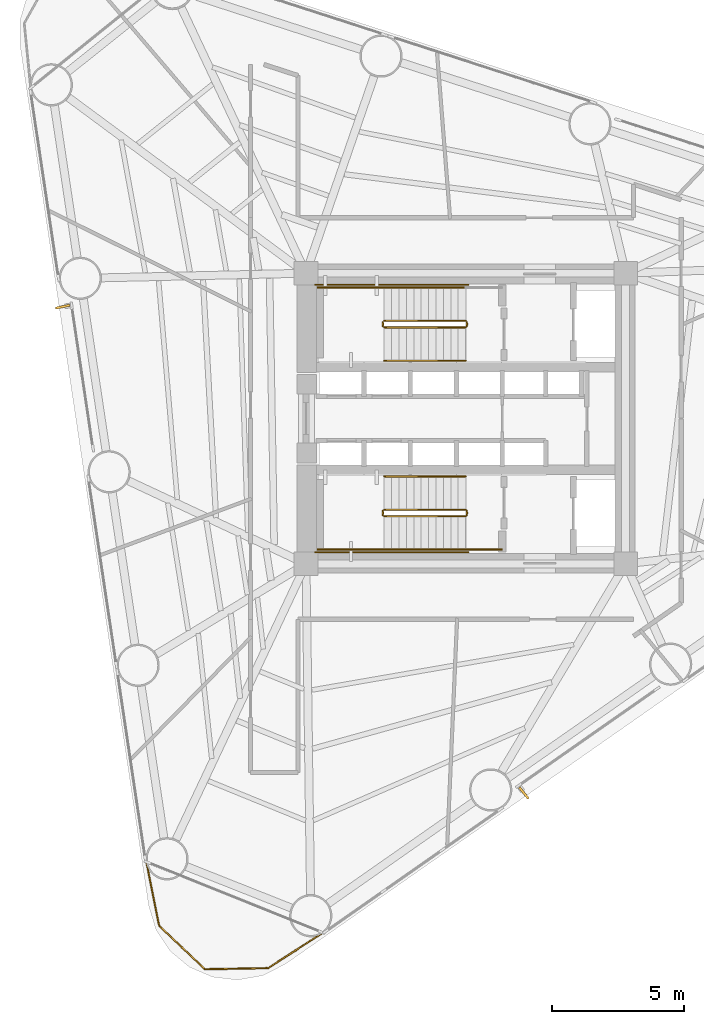
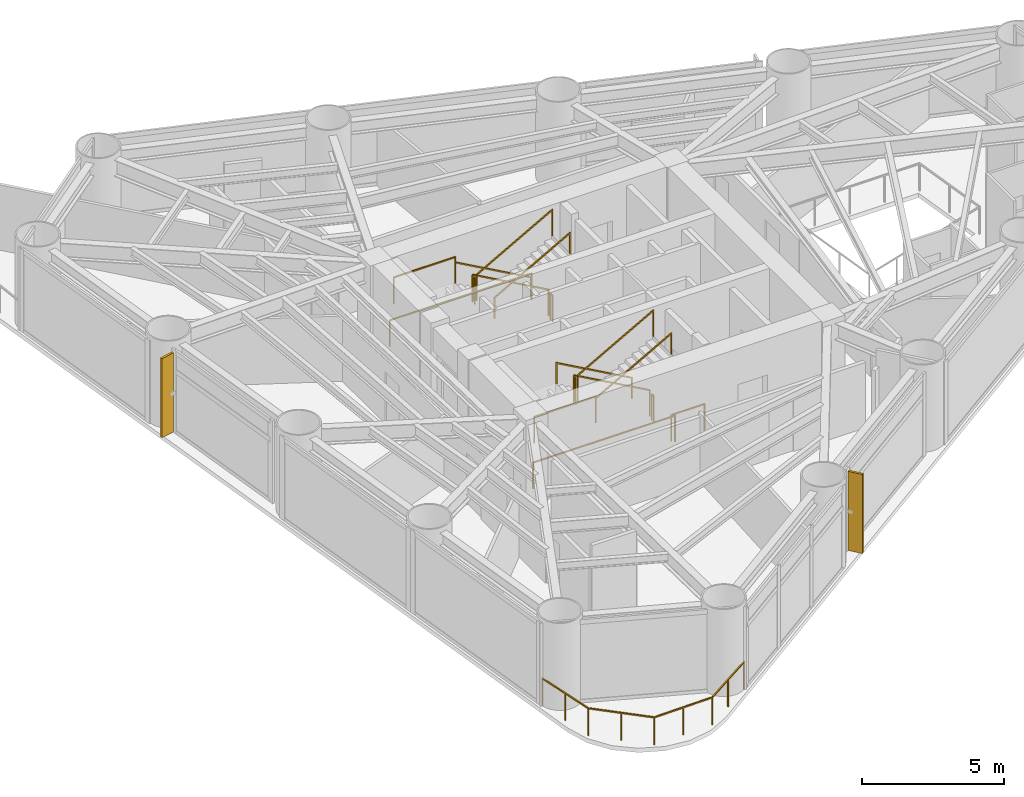
# One storey, part 8 of 9: 18 railings, 2 shading devices.
"""IFC4 building model written with IfcOpenShell, lengths in metres."""

from ifc_helpers import new_model, si_unit, direction, frame, origin, origin_2d, place, context, subcontext, project, spatial, rectangle, extrude, source, transform, mapped, material, material_profile, profile_set, type_object, element, save


model = new_model("IFC4")

# Units and contexts
model_context = context("Model", 3, precision=1e-05, world=origin(), true_north=direction((0.0, 1.0)))
body_context = subcontext(model_context, "Body", "Model", "MODEL_VIEW")
ifc_project = project(units=[si_unit("LENGTHUNIT", "METRE"), si_unit("AREAUNIT", "SQUARE_METRE"), si_unit("VOLUMEUNIT", "CUBIC_METRE"), si_unit("PLANEANGLEUNIT", "RADIAN"), si_unit("MASSUNIT", "GRAM", prefix="KILO")], contexts=[model_context])

# Site, building, storey
site_placement = place(None, origin())
site = spatial("IfcSite", under=ifc_project, at=site_placement, CompositionType="ELEMENT")
building_placement = place(site_placement, origin())
building = spatial("IfcBuilding", under=site, at=building_placement, Name="Yunling Apex Tower", CompositionType="ELEMENT")
storey_placement = place(building_placement, frame((0.0, 0.0, 81.050048828125)))
storey = spatial("IfcBuildingStorey", under=building, at=storey_placement, Name="L21", CompositionType="ELEMENT", Elevation=81.050048828125)

# Railings
ifc_material_1 = material(Name="Bronze anodised aluminium", Category="aluminium")
railing_type_1 = type_object("IfcRailingType", Name="RL-BAL-1200", PredefinedType="BALUSTRADE", material=ifc_material_1)
railing_1_placement = place(storey_placement, frame((-5.41552734375, -19.466796875, 0.0)))
element("IfcRailing", 1, at=railing_1_placement, inside=storey, type_object=railing_type_1, Name="RL-CRNSILL-L21-3", PredefinedType="BALUSTRADE", context=body_context, shape_type="SweptSolid", body=[
    extrude(rectangle(XDim=0.0439453125, YDim=0.0439453125, at=origin_2d()), origin(), (0.0, 0.0, 1.0), 1.199951171875),
    extrude(rectangle(XDim=0.0439453125, YDim=0.0439453125, at=origin_2d()), frame((-2.069091796875, -1.3349609375, 0.0)), (0.0, 0.0, 1.0), 1.199951171875),
    extrude(rectangle(XDim=0.050048828125, YDim=0.050048828125, at=origin_2d()), frame((-0.0322265625, -0.020751953125, 1.1748046875), z_axis=(-0.840284992051, -0.542144936464, 0.0), x_axis=(0.542144936464, -0.840284992051, 0.0)), (0.0, 0.0, 1.0), 2.3857421875),
    extrude(rectangle(XDim=0.0439453125, YDim=0.0439453125, at=origin_2d()), frame((-1.03466796875, -0.66748046875, 0.0)), (0.0, 0.0, 1.0), 1.14599609375),
    extrude(rectangle(XDim=0.0439453125, YDim=0.0439453125, at=origin_2d()), frame((-4.456787109375, -1.3779296875, 0.0)), (0.0, 0.0, 1.0), 1.199951171875),
    extrude(rectangle(XDim=0.050048828125, YDim=0.050048828125, at=origin_2d()), frame((-2.107421875, -1.335693359375, 1.1748046875), z_axis=(-0.999838112931, -0.017992996715, 0.0), x_axis=(0.017992996715, -0.999838112931, 0.0)), (0.0, 0.0, 1.0), 2.3115234375),
    extrude(rectangle(XDim=0.0439453125, YDim=0.0439453125, at=origin_2d()), frame((-3.262939453125, -1.3564453125, 0.0)), (0.0, 0.0, 1.0), 1.14599609375),
    extrude(rectangle(XDim=0.0439453125, YDim=0.0439453125, at=origin_2d()), frame((-6.1943359375, 0.271728515625, 0.0)), (0.0, 0.0, 1.0), 1.199951171875),
    extrude(rectangle(XDim=0.050048828125, YDim=0.050048828125, at=origin_2d()), frame((-4.484619140625, -1.3515625, 1.1748046875), z_axis=(-0.725210560755, 0.688527154562, 0.0), x_axis=(-0.688527154562, -0.725210560755, 0.0)), (0.0, 0.0, 1.0), 2.3193359375),
    extrude(rectangle(XDim=0.0439453125, YDim=0.0439453125, at=origin_2d()), frame((-5.32568359375, -0.55322265625, 0.0)), (0.0, 0.0, 1.0), 1.14599609375),
    extrude(rectangle(XDim=0.0439453125, YDim=0.0439453125, at=origin_2d()), frame((-6.6767578125, 2.685302734375, 0.0)), (0.0, 0.0, 1.0), 1.199951171875),
    extrude(rectangle(XDim=0.050048828125, YDim=0.050048828125, at=origin_2d()), frame((-6.201904296875, 0.309326171875, 1.1748046875), z_axis=(-0.196001682493, 0.980603559274, 0.0), x_axis=(-0.980603559274, -0.196001682493, 0.0)), (0.0, 0.0, 1.0), 2.384765625),
    extrude(rectangle(XDim=0.0439453125, YDim=0.0439453125, at=origin_2d()), frame((-6.435546875, 1.478515625, 0.0)), (0.0, 0.0, 1.0), 1.14599609375),
])
ifc_material_2 = material(Name="Steel Q355B", Category="steel")
railing_type_2 = type_object("IfcRailingType", Name="RL-GRD-1150", PredefinedType="GUARDRAIL", material=ifc_material_2)
railing_2_placement = place(storey_placement, frame((-0.010009765625, 3.699951171875, 0.15625)))
element("IfcRailing", 2, at=railing_2_placement, inside=storey, type_object=railing_type_2, Name="L21 ST-1 stair guard 1", PredefinedType="GUARDRAIL", context=body_context, shape_type="SweptSolid", body=[
    extrude(rectangle(XDim=0.0439453125, YDim=0.0439453125, at=origin_2d()), origin(), (0.0, 0.0, 1.0), 1.14990234375),
    extrude(rectangle(XDim=0.0439453125, YDim=0.0439453125, at=origin_2d()), frame((-3.080078125, 0.0, 1.71875)), (0.0, 0.0, 1.0), 1.14990234375),
    extrude(rectangle(XDim=0.050048828125, YDim=0.050048828125, at=origin_2d()), frame((-0.033447265625, 0.0, 1.1435546875), z_axis=(-0.873241540666, 0.0, 0.487287606713), x_axis=(0.0, -1.0, 0.0)), (0.0, 0.0, 1.0), 3.450439453125),
])
railing_3_placement = place(storey_placement, frame((-3.139892578125, 3.64990234375, 1.875)))
element("IfcRailing", 3, at=railing_3_placement, inside=storey, type_object=railing_type_2, Name="L21 ST-1 stair guard 2", PredefinedType="GUARDRAIL", context=body_context, shape_type="SweptSolid", body=[
    extrude(rectangle(XDim=0.0439453125, YDim=0.0439453125, at=origin_2d()), origin(), (0.0, 0.0, 1.0), 1.14990234375),
    extrude(rectangle(XDim=0.0439453125, YDim=0.0439453125, at=origin_2d()), frame((0.0, -0.14990234375, 0.0)), (0.0, 0.0, 1.0), 1.14990234375),
    extrude(rectangle(XDim=0.050048828125, YDim=0.050048828125, at=origin_2d()), frame((0.0, -0.038330078125, 1.125), z_axis=(0.0, -1.0, 0.0), x_axis=(1.0, 0.0, 0.0)), (0.0, 0.0, 1.0), 0.0732421875),
])
railing_4_placement = place(storey_placement, frame((-3.090087890625, 4.9599609375, 1.875)))
element("IfcRailing", 4, at=railing_4_placement, inside=storey, type_object=railing_type_2, Name="L21 ST-1 stair guard 3", PredefinedType="GUARDRAIL", context=body_context, shape_type="SweptSolid", body=[
    extrude(rectangle(XDim=0.0439453125, YDim=0.0439453125, at=origin_2d()), origin(), (0.0, 0.0, 1.0), 1.14990234375),
    extrude(rectangle(XDim=0.0439453125, YDim=0.0439453125, at=origin_2d()), frame((-2.510009765625, 0.0, 0.0)), (0.0, 0.0, 1.0), 1.14990234375),
    extrude(rectangle(XDim=0.050048828125, YDim=0.050048828125, at=origin_2d()), frame((-0.038330078125, 0.0, 1.125), z_axis=(-1.0, 0.0, 0.0), x_axis=(0.0, -1.0, 0.0)), (0.0, 0.0, 1.0), 2.433349609375),
])
railing_5_placement = place(storey_placement, frame((-3.090087890625, 3.449951171875, 2.03125)))
element("IfcRailing", 5, at=railing_5_placement, inside=storey, type_object=railing_type_2, Name="L21 ST-1 stair guard 4", PredefinedType="GUARDRAIL", context=body_context, shape_type="SweptSolid", body=[
    extrude(rectangle(XDim=0.0439453125, YDim=0.0439453125, at=origin_2d()), origin(), (0.0, 0.0, 1.0), 1.14990234375),
    extrude(rectangle(XDim=0.0439453125, YDim=0.0439453125, at=origin_2d()), frame((3.080078125, 0.0, 1.71875)), (0.0, 0.0, 1.0), 1.14990234375),
    extrude(rectangle(XDim=0.050048828125, YDim=0.050048828125, at=origin_2d()), frame((0.033447265625, 0.0, 1.1435546875), z_axis=(0.873241540666, 0.0, 0.487287606713), x_axis=(0.0, 1.0, 0.0)), (0.0, 0.0, 1.0), 3.450439453125),
])
railing_6_placement = place(storey_placement, frame((0.0400390625, 3.64990234375, 0.0)))
element("IfcRailing", 6, at=railing_6_placement, inside=storey, type_object=railing_type_2, Name="L21 ST-1 stair guard 5", PredefinedType="GUARDRAIL", context=body_context, shape_type="SweptSolid", body=[
    extrude(rectangle(XDim=0.0439453125, YDim=0.0439453125, at=origin_2d()), origin(), (0.0, 0.0, 1.0), 1.14990234375),
    extrude(rectangle(XDim=0.0439453125, YDim=0.0439453125, at=origin_2d()), frame((0.0, -0.14990234375, 0.0)), (0.0, 0.0, 1.0), 1.14990234375),
    extrude(rectangle(XDim=0.050048828125, YDim=0.050048828125, at=origin_2d()), frame((0.0, -0.038330078125, 1.125), z_axis=(0.0, -1.0, 0.0), x_axis=(1.0, 0.0, 0.0)), (0.0, 0.0, 1.0), 0.0732421875),
])
railing_7_placement = place(storey_placement, frame((0.090087890625, 5.06005859375, 0.0)))
element("IfcRailing", 7, at=railing_7_placement, inside=storey, type_object=railing_type_2, Name="L21 ST-1 stair guard 7", PredefinedType="GUARDRAIL", context=body_context, shape_type="SweptSolid", body=[
    extrude(rectangle(XDim=0.0439453125, YDim=0.0439453125, at=origin_2d()), origin(), (0.0, 0.0, 1.0), 1.14990234375),
    extrude(rectangle(XDim=0.0439453125, YDim=0.0439453125, at=origin_2d()), frame((-5.7900390625, 0.0, 0.0)), (0.0, 0.0, 1.0), 1.14990234375),
    extrude(rectangle(XDim=0.050048828125, YDim=0.050048828125, at=origin_2d()), frame((-0.038330078125, 0.0, 1.125), z_axis=(-1.0, 0.0, 0.0), x_axis=(0.0, -1.0, 0.0)), (0.0, 0.0, 1.0), 5.71337890625),
])
railing_8_placement = place(storey_placement, frame((-0.010009765625, -3.449951171875, 0.15625)))
element("IfcRailing", 8, at=railing_8_placement, inside=storey, type_object=railing_type_2, Name="L21 ST-2 stair guard 1", PredefinedType="GUARDRAIL", context=body_context, shape_type="SweptSolid", body=[
    extrude(rectangle(XDim=0.0439453125, YDim=0.0439453125, at=origin_2d()), origin(), (0.0, 0.0, 1.0), 1.14990234375),
    extrude(rectangle(XDim=0.0439453125, YDim=0.0439453125, at=origin_2d()), frame((-3.080078125, 0.0, 1.71875)), (0.0, 0.0, 1.0), 1.14990234375),
    extrude(rectangle(XDim=0.050048828125, YDim=0.050048828125, at=origin_2d()), frame((-0.033447265625, 0.0, 1.1435546875), z_axis=(-0.873241540666, 0.0, 0.487287606713), x_axis=(0.0, -1.0, 0.0)), (0.0, 0.0, 1.0), 3.450439453125),
])
railing_9_placement = place(storey_placement, frame((-3.139892578125, -3.5, 1.875)))
element("IfcRailing", 9, at=railing_9_placement, inside=storey, type_object=railing_type_2, Name="L21 ST-2 stair guard 2", PredefinedType="GUARDRAIL", context=body_context, shape_type="SweptSolid", body=[
    extrude(rectangle(XDim=0.0439453125, YDim=0.0439453125, at=origin_2d()), origin(), (0.0, 0.0, 1.0), 1.14990234375),
    extrude(rectangle(XDim=0.0439453125, YDim=0.0439453125, at=origin_2d()), frame((0.0, -0.14990234375, 0.0)), (0.0, 0.0, 1.0), 1.14990234375),
    extrude(rectangle(XDim=0.050048828125, YDim=0.050048828125, at=origin_2d()), frame((0.0, -0.038330078125, 1.125), z_axis=(0.0, -1.0, 0.0), x_axis=(1.0, 0.0, 0.0)), (0.0, 0.0, 1.0), 0.0732421875),
])
railing_10_placement = place(storey_placement, frame((-3.090087890625, -4.9599609375, 1.875)))
element("IfcRailing", 10, at=railing_10_placement, inside=storey, type_object=railing_type_2, Name="L21 ST-2 stair guard 3", PredefinedType="GUARDRAIL", context=body_context, shape_type="SweptSolid", body=[
    extrude(rectangle(XDim=0.0439453125, YDim=0.0439453125, at=origin_2d()), origin(), (0.0, 0.0, 1.0), 1.14990234375),
    extrude(rectangle(XDim=0.0439453125, YDim=0.0439453125, at=origin_2d()), frame((-2.510009765625, 0.0, 0.0)), (0.0, 0.0, 1.0), 1.14990234375),
    extrude(rectangle(XDim=0.050048828125, YDim=0.050048828125, at=origin_2d()), frame((-0.038330078125, 0.0, 1.125), z_axis=(-1.0, 0.0, 0.0), x_axis=(0.0, -1.0, 0.0)), (0.0, 0.0, 1.0), 2.433349609375),
])
railing_11_placement = place(storey_placement, frame((-3.090087890625, -3.699951171875, 2.03125)))
element("IfcRailing", 11, at=railing_11_placement, inside=storey, type_object=railing_type_2, Name="L21 ST-2 stair guard 4", PredefinedType="GUARDRAIL", context=body_context, shape_type="SweptSolid", body=[
    extrude(rectangle(XDim=0.0439453125, YDim=0.0439453125, at=origin_2d()), origin(), (0.0, 0.0, 1.0), 1.14990234375),
    extrude(rectangle(XDim=0.0439453125, YDim=0.0439453125, at=origin_2d()), frame((3.080078125, 0.0, 1.71875)), (0.0, 0.0, 1.0), 1.14990234375),
    extrude(rectangle(XDim=0.050048828125, YDim=0.050048828125, at=origin_2d()), frame((0.033447265625, 0.0, 1.1435546875), z_axis=(0.873241540666, 0.0, 0.487287606713), x_axis=(0.0, 1.0, 0.0)), (0.0, 0.0, 1.0), 3.450439453125),
])
railing_12_placement = place(storey_placement, frame((0.0400390625, -3.5, 0.0)))
element("IfcRailing", 12, at=railing_12_placement, inside=storey, type_object=railing_type_2, Name="L21 ST-2 stair guard 5", PredefinedType="GUARDRAIL", context=body_context, shape_type="SweptSolid", body=[
    extrude(rectangle(XDim=0.0439453125, YDim=0.0439453125, at=origin_2d()), origin(), (0.0, 0.0, 1.0), 1.14990234375),
    extrude(rectangle(XDim=0.0439453125, YDim=0.0439453125, at=origin_2d()), frame((0.0, -0.14990234375, 0.0)), (0.0, 0.0, 1.0), 1.14990234375),
    extrude(rectangle(XDim=0.050048828125, YDim=0.050048828125, at=origin_2d()), frame((0.0, -0.038330078125, 1.125), z_axis=(0.0, -1.0, 0.0), x_axis=(1.0, 0.0, 0.0)), (0.0, 0.0, 1.0), 0.0732421875),
])
railing_13_placement = place(storey_placement, frame((1.35009765625, -4.9599609375, 0.0)))
element("IfcRailing", 13, at=railing_13_placement, inside=storey, type_object=railing_type_2, Name="L21 ST-2 stair guard 6", PredefinedType="GUARDRAIL", context=body_context, shape_type="SweptSolid", body=[
    extrude(rectangle(XDim=0.0439453125, YDim=0.0439453125, at=origin_2d()), origin(), (0.0, 0.0, 1.0), 1.14990234375),
    extrude(rectangle(XDim=0.0439453125, YDim=0.0439453125, at=origin_2d()), frame((-1.360107421875, 0.0, 0.0)), (0.0, 0.0, 1.0), 1.14990234375),
    extrude(rectangle(XDim=0.050048828125, YDim=0.050048828125, at=origin_2d()), frame((-0.038330078125, 0.0, 1.125), z_axis=(-1.0, 0.0, 0.0), x_axis=(0.0, -1.0, 0.0)), (0.0, 0.0, 1.0), 1.283447265625),
])
railing_14_placement = place(storey_placement, frame((0.090087890625, -5.06005859375, 0.0)))
element("IfcRailing", 14, at=railing_14_placement, inside=storey, type_object=railing_type_2, Name="L21 ST-2 stair guard 7", PredefinedType="GUARDRAIL", context=body_context, shape_type="SweptSolid", body=[
    extrude(rectangle(XDim=0.0439453125, YDim=0.0439453125, at=origin_2d()), origin(), (0.0, 0.0, 1.0), 1.14990234375),
    extrude(rectangle(XDim=0.0439453125, YDim=0.0439453125, at=origin_2d()), frame((-5.7900390625, 0.0, 0.0)), (0.0, 0.0, 1.0), 1.14990234375),
    extrude(rectangle(XDim=0.050048828125, YDim=0.050048828125, at=origin_2d()), frame((-0.038330078125, 0.0, 1.125), z_axis=(-1.0, 0.0, 0.0), x_axis=(0.0, -1.0, 0.0)), (0.0, 0.0, 1.0), 5.71337890625),
])
ifc_material_3 = material(Name="Silver anodised aluminium", Category="aluminium")
railing_type_3 = type_object("IfcRailingType", Name="RL-HND-900", PredefinedType="HANDRAIL", material=ifc_material_3)
railing_15_placement = place(storey_placement, frame((-0.010009765625, 4.9599609375, 0.15625)))
element("IfcRailing", 15, at=railing_15_placement, inside=storey, type_object=railing_type_3, Name="L21 ST-1 stair handrail 1", PredefinedType="HANDRAIL", context=body_context, shape_type="SweptSolid", body=[
    extrude(rectangle(XDim=0.0439453125, YDim=0.0439453125, at=origin_2d()), origin(), (0.0, 0.0, 1.0), 0.919921875),
    extrude(rectangle(XDim=0.0439453125, YDim=0.0439453125, at=origin_2d()), frame((-3.080078125, 0.0, 1.71875)), (0.0, 0.0, 1.0), 0.919921875),
    extrude(rectangle(XDim=0.050048828125, YDim=0.050048828125, at=origin_2d()), frame((-0.033447265625, 0.0, 0.91357421875), z_axis=(-0.873241540666, 0.0, 0.487287606713), x_axis=(0.0, -1.0, 0.0)), (0.0, 0.0, 1.0), 3.450439453125),
])
railing_16_placement = place(storey_placement, frame((-3.090087890625, 2.18994140625, 2.03125)))
element("IfcRailing", 16, at=railing_16_placement, inside=storey, type_object=railing_type_3, Name="L21 ST-1 stair handrail 2", PredefinedType="HANDRAIL", context=body_context, shape_type="SweptSolid", body=[
    extrude(rectangle(XDim=0.0439453125, YDim=0.0439453125, at=origin_2d()), origin(), (0.0, 0.0, 1.0), 0.919921875),
    extrude(rectangle(XDim=0.0439453125, YDim=0.0439453125, at=origin_2d()), frame((3.080078125, 0.0, 1.71875)), (0.0, 0.0, 1.0), 0.919921875),
    extrude(rectangle(XDim=0.050048828125, YDim=0.050048828125, at=origin_2d()), frame((0.033447265625, 0.0, 0.91357421875), z_axis=(0.873241540666, 0.0, 0.487287606713), x_axis=(0.0, 1.0, 0.0)), (0.0, 0.0, 1.0), 3.450439453125),
])
railing_17_placement = place(storey_placement, frame((-0.010009765625, -2.18994140625, 0.15625)))
element("IfcRailing", 17, at=railing_17_placement, inside=storey, type_object=railing_type_3, Name="L21 ST-2 stair handrail 1", PredefinedType="HANDRAIL", context=body_context, shape_type="SweptSolid", body=[
    extrude(rectangle(XDim=0.0439453125, YDim=0.0439453125, at=origin_2d()), origin(), (0.0, 0.0, 1.0), 0.919921875),
    extrude(rectangle(XDim=0.0439453125, YDim=0.0439453125, at=origin_2d()), frame((-3.080078125, 0.0, 1.71875)), (0.0, 0.0, 1.0), 0.919921875),
    extrude(rectangle(XDim=0.050048828125, YDim=0.050048828125, at=origin_2d()), frame((-0.033447265625, 0.0, 0.91357421875), z_axis=(-0.873241540666, 0.0, 0.487287606713), x_axis=(0.0, -1.0, 0.0)), (0.0, 0.0, 1.0), 3.450439453125),
])
railing_18_placement = place(storey_placement, frame((-3.090087890625, -4.9599609375, 2.03125)))
element("IfcRailing", 18, at=railing_18_placement, inside=storey, type_object=railing_type_3, Name="L21 ST-2 stair handrail 2", PredefinedType="HANDRAIL", context=body_context, shape_type="SweptSolid", body=[
    extrude(rectangle(XDim=0.0439453125, YDim=0.0439453125, at=origin_2d()), origin(), (0.0, 0.0, 1.0), 0.919921875),
    extrude(rectangle(XDim=0.0439453125, YDim=0.0439453125, at=origin_2d()), frame((3.080078125, 0.0, 1.71875)), (0.0, 0.0, 1.0), 0.919921875),
    extrude(rectangle(XDim=0.050048828125, YDim=0.050048828125, at=origin_2d()), frame((0.033447265625, 0.0, 0.91357421875), z_axis=(0.873241540666, 0.0, 0.487287606713), x_axis=(0.0, 1.0, 0.0)), (0.0, 0.0, 1.0), 3.450439453125),
])

# Shading devices
ifc_material_profile = material_profile(ifc_material_1, rectangle(XDim=0.0849609375, YDim=0.550048828125, at=origin_2d()))
ifc_profile_set = profile_set([ifc_material_profile], Name="Bronze anodised aluminium")
shading_device_type = type_object("IfcShadingDeviceType", Name="FN-BRZ-3", PredefinedType="USERDEFINED", material=ifc_profile_set)
shared_shape = source(origin(), body_context, "Body", "SweptSolid", [
    extrude(rectangle(XDim=0.0849609375, YDim=0.550048828125, at=origin_2d()), origin(), (0.0, 0.0, 1.0), 3.409912109375),
])
for number, where, z_axis, x_axis, name in (
    (19, (2.197509765625, -14.17431640625, 0.06005859375), (0.0, 0.0, 1.0), (0.780321270022, 0.625378857614, 0.0), "CW-L21-F1-B2-FIN-01"),
    (20, (-15.25830078125, 4.233642578125, 0.06005859375), (0.0, 0.0, 1.0), (0.212177672156, -0.977231106463, 0.0), "CW-L21-F3-B2-FIN-01"),
):
    element("IfcShadingDevice", number, at=place(storey_placement, frame(where, z_axis=z_axis, x_axis=x_axis)), inside=storey, type_object=shading_device_type, Name=name, ObjectType="FIN", PredefinedType="USERDEFINED", context=body_context, shape_type="MappedRepresentation", body=[
        mapped(shared_shape, transform((0.0, 0.0, 0.0), scale=1.0)),
    ])

save(model, "model.ifc")
